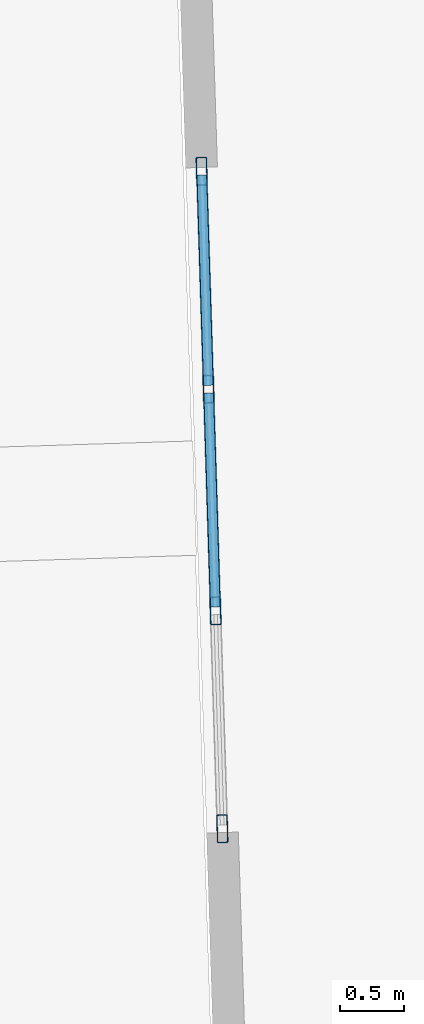
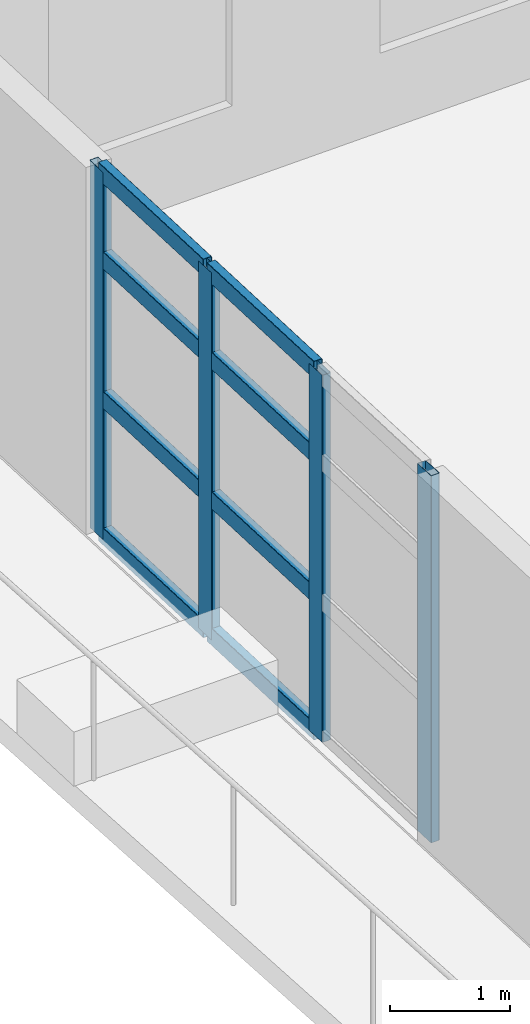
# One storey, part 4 of 18: 12 members, 1 element without a shape of its own.
"""IFC4 building model written with IfcOpenShell, lengths in metres."""

from ifc_helpers import new_model, si_unit, direction, frame, origin, origin_2d, place, context, subcontext, project, spatial, hollow_rectangle, extrude, material, layer, layer_set, material_profile, profile_set, type_object, element, aggregate, save


model = new_model("IFC4")

# Units and contexts
model_context = context("Model", 3, precision=1e-05, world=origin(), true_north=direction((0.0, 1.0)))
body_context = subcontext(model_context, "Body", "Model", "MODEL_VIEW")
ifc_project = project(units=[si_unit("LENGTHUNIT", "METRE"), si_unit("AREAUNIT", "SQUARE_METRE"), si_unit("VOLUMEUNIT", "CUBIC_METRE"), si_unit("PLANEANGLEUNIT", "RADIAN"), si_unit("MASSUNIT", "GRAM", prefix="KILO")], contexts=[model_context])

# Site, building, storey
site_placement = place(None, origin())
site = spatial("IfcSite", under=ifc_project, at=site_placement, CompositionType="ELEMENT")
building_placement = place(site_placement, origin())
building = spatial("IfcBuilding", under=site, at=building_placement, Name="Qingluan Cross Belvedere", CompositionType="ELEMENT")
storey_placement = place(building_placement, frame((0.0, 0.0, 299.39990234375)))
storey = spatial("IfcBuildingStorey", under=building, at=storey_placement, Name="L74", CompositionType="ELEMENT", Elevation=299.39990234375)

# Curtain wall, members
ifc_material_1 = material(Name="Thermally broken aluminium and Low-E glass", Category="aluminium")
ifc_layer = layer(ifc_material_1, 0.179931640625, Name="ObservationCW_DamperGallery")
ifc_layer_set = layer_set([ifc_layer], Name="Thermally broken aluminium and Low-E glass")
curtain_wall_type = type_object("IfcCurtainWallType", Name="ObservationCW_DamperGallery", PredefinedType="USERDEFINED", material=ifc_layer_set)
curtain_wall_placement = place(storey_placement, origin())
curtain_wall = element("IfcCurtainWall", 1, at=curtain_wall_placement, inside=storey, type_object=curtain_wall_type, Name="ObservationCW_DamperGallery run env:cw:L74:W", ObjectType="OBSERVATION GLAZING WALL", PredefinedType="USERDEFINED")
ifc_material_2 = material(Name="Aluminium alloy 6063-T6", Category="aluminium")
ifc_material_profile_1 = material_profile(ifc_material_2, hollow_rectangle(XDim=0.0849609375, YDim=0.219970703125, WallThickness=0.0048828125, InnerFilletRadius=0.0048828125, OuterFilletRadius=0.010009765625, at=origin_2d()), Name="CWM220x85x5")
ifc_profile_set_1 = profile_set([ifc_material_profile_1], Name="Aluminium alloy 6063-T6")
member_type_1 = type_object("IfcMemberType", Name="CWMullion_220", PredefinedType="MULLION", material=ifc_profile_set_1)
member_1_placement = place(storey_placement, frame((-25.648681640625, 1.783203125, 0.0), z_axis=(0.0, 0.0, 1.0), x_axis=(0.999506957349, 0.031398124312, 0.0)))
member_1 = element("IfcMember", 2, at=member_1_placement, type_object=member_type_1, Name="CW-C1 mullion 1", PredefinedType="MULLION", context=body_context, shape_type="SweptSolid", body=[
    extrude(hollow_rectangle(XDim=0.0849609375, YDim=0.219970703125, WallThickness=0.0048828125, InnerFilletRadius=0.0048828125, OuterFilletRadius=0.010009765625, at=origin_2d()), origin(), (0.0, 0.0, 1.0), 3.72998046875),
])
member_2_placement = place(storey_placement, frame((-25.5947265625, 0.06884765625, 0.0), z_axis=(0.0, 0.0, 1.0), x_axis=(0.999506957349, 0.031398124312, 0.0)))
member_2 = element("IfcMember", 3, at=member_2_placement, type_object=member_type_1, Name="CW-C1 mullion 2", PredefinedType="MULLION", context=body_context, shape_type="SweptSolid", body=[
    extrude(hollow_rectangle(XDim=0.0849609375, YDim=0.219970703125, WallThickness=0.0048828125, InnerFilletRadius=0.0048828125, OuterFilletRadius=0.010009765625, at=origin_2d()), origin(), (0.0, 0.0, 1.0), 3.72998046875),
])
member_3_placement = place(storey_placement, frame((-25.5400390625, -1.67578125, 0.0), z_axis=(0.0, 0.0, 1.0), x_axis=(0.999506957349, 0.031398124312, 0.0)))
member_3 = element("IfcMember", 4, at=member_3_placement, type_object=member_type_1, Name="CW-C1 mullion 3", PredefinedType="MULLION", context=body_context, shape_type="SweptSolid", body=[
    extrude(hollow_rectangle(XDim=0.0849609375, YDim=0.219970703125, WallThickness=0.0048828125, InnerFilletRadius=0.0048828125, OuterFilletRadius=0.010009765625, at=origin_2d()), origin(), (0.0, 0.0, 1.0), 3.72998046875),
])
member_4_placement = place(storey_placement, frame((-25.486083984375, -3.39013671875, 0.0), z_axis=(0.0, 0.0, 1.0), x_axis=(0.999506957349, 0.031398124312, 0.0)))
member_4 = element("IfcMember", 5, at=member_4_placement, type_object=member_type_1, Name="CW-C1 mullion 4", PredefinedType="MULLION", context=body_context, shape_type="SweptSolid", body=[
    extrude(hollow_rectangle(XDim=0.0849609375, YDim=0.219970703125, WallThickness=0.0048828125, InnerFilletRadius=0.0048828125, OuterFilletRadius=0.010009765625, at=origin_2d()), origin(), (0.0, 0.0, 1.0), 3.72998046875),
])
ifc_material_3 = material(Name="Aluminium alloy 6063-T6", Category="aluminium")
ifc_material_profile_2 = material_profile(ifc_material_3, hollow_rectangle(XDim=0.0849609375, YDim=0.179931640625, WallThickness=0.00390625, InnerFilletRadius=0.00390625, OuterFilletRadius=0.008056640625, at=origin_2d()), Name="CWT180x85x4")
ifc_profile_set_2 = profile_set([ifc_material_profile_2], Name="Aluminium alloy 6063-T6")
member_type_2 = type_object("IfcMemberType", Name="CWTransom_180", PredefinedType="USERDEFINED", material=ifc_profile_set_2)
member_5_placement = place(storey_placement, frame((-25.647705078125, 1.753173828125, 0.030029296875), z_axis=(0.031414323963, -0.999506448328, 0.0), x_axis=(0.999506448328, 0.031414323963, 0.0)))
member_5 = element("IfcMember", 6, at=member_5_placement, type_object=member_type_2, Name="CW-C1 transom 1.1", ObjectType="TRANSOM", PredefinedType="USERDEFINED", context=body_context, shape_type="SweptSolid", body=[
    extrude(hollow_rectangle(XDim=0.0849609375, YDim=0.179931640625, WallThickness=0.00390625, InnerFilletRadius=0.00390625, OuterFilletRadius=0.008056640625, at=origin_2d()), origin(), (0.0, 0.0, 1.0), 1.6552734375),
])
member_6_placement = place(storey_placement, frame((-25.647705078125, 1.753173828125, 1.4169921875), z_axis=(0.031414323963, -0.999506448328, 0.0), x_axis=(0.999506448328, 0.031414323963, 0.0)))
member_6 = element("IfcMember", 7, at=member_6_placement, type_object=member_type_2, Name="CW-C1 transom 1.2", ObjectType="TRANSOM", PredefinedType="USERDEFINED", context=body_context, shape_type="SweptSolid", body=[
    extrude(hollow_rectangle(XDim=0.0849609375, YDim=0.179931640625, WallThickness=0.00390625, InnerFilletRadius=0.00390625, OuterFilletRadius=0.008056640625, at=origin_2d()), origin(), (0.0, 0.0, 1.0), 1.6552734375),
])
member_7_placement = place(storey_placement, frame((-25.647705078125, 1.753173828125, 2.835205078125), z_axis=(0.031414323963, -0.999506448328, 0.0), x_axis=(0.999506448328, 0.031414323963, 0.0)))
member_7 = element("IfcMember", 8, at=member_7_placement, type_object=member_type_2, Name="CW-C1 transom 1.3", ObjectType="TRANSOM", PredefinedType="USERDEFINED", context=body_context, shape_type="SweptSolid", body=[
    extrude(hollow_rectangle(XDim=0.0849609375, YDim=0.179931640625, WallThickness=0.00390625, InnerFilletRadius=0.00390625, OuterFilletRadius=0.008056640625, at=origin_2d()), origin(), (0.0, 0.0, 1.0), 1.6552734375),
])
member_8_placement = place(storey_placement, frame((-25.647705078125, 1.753173828125, 3.7001953125), z_axis=(0.031414323963, -0.999506448328, 0.0), x_axis=(0.999506448328, 0.031414323963, 0.0)))
member_8 = element("IfcMember", 9, at=member_8_placement, type_object=member_type_2, Name="CW-C1 transom 1.4", ObjectType="TRANSOM", PredefinedType="USERDEFINED", context=body_context, shape_type="SweptSolid", body=[
    extrude(hollow_rectangle(XDim=0.0849609375, YDim=0.179931640625, WallThickness=0.00390625, InnerFilletRadius=0.00390625, OuterFilletRadius=0.008056640625, at=origin_2d()), origin(), (0.0, 0.0, 1.0), 1.6552734375),
])
member_9_placement = place(storey_placement, frame((-25.59375, 0.038818359375, 0.030029296875), z_axis=(0.031289020552, -0.999510378732, 0.0), x_axis=(0.999510378732, 0.031289020552, 0.0)))
member_9 = element("IfcMember", 10, at=member_9_placement, type_object=member_type_2, Name="CW-C1 transom 2.1", ObjectType="TRANSOM", PredefinedType="USERDEFINED", context=body_context, shape_type="SweptSolid", body=[
    extrude(hollow_rectangle(XDim=0.0849609375, YDim=0.179931640625, WallThickness=0.00390625, InnerFilletRadius=0.00390625, OuterFilletRadius=0.008056640625, at=origin_2d()), origin(), (0.0, 0.0, 1.0), 1.685302734375),
])
member_10_placement = place(storey_placement, frame((-25.59375, 0.038818359375, 1.4169921875), z_axis=(0.031289020552, -0.999510378732, 0.0), x_axis=(0.999510378732, 0.031289020552, 0.0)))
member_10 = element("IfcMember", 11, at=member_10_placement, type_object=member_type_2, Name="CW-C1 transom 2.2", ObjectType="TRANSOM", PredefinedType="USERDEFINED", context=body_context, shape_type="SweptSolid", body=[
    extrude(hollow_rectangle(XDim=0.0849609375, YDim=0.179931640625, WallThickness=0.00390625, InnerFilletRadius=0.00390625, OuterFilletRadius=0.008056640625, at=origin_2d()), origin(), (0.0, 0.0, 1.0), 1.685302734375),
])
member_11_placement = place(storey_placement, frame((-25.59375, 0.038818359375, 2.835205078125), z_axis=(0.031289020552, -0.999510378732, 0.0), x_axis=(0.999510378732, 0.031289020552, 0.0)))
member_11 = element("IfcMember", 12, at=member_11_placement, type_object=member_type_2, Name="CW-C1 transom 2.3", ObjectType="TRANSOM", PredefinedType="USERDEFINED", context=body_context, shape_type="SweptSolid", body=[
    extrude(hollow_rectangle(XDim=0.0849609375, YDim=0.179931640625, WallThickness=0.00390625, InnerFilletRadius=0.00390625, OuterFilletRadius=0.008056640625, at=origin_2d()), origin(), (0.0, 0.0, 1.0), 1.685302734375),
])
member_12_placement = place(storey_placement, frame((-25.59375, 0.038818359375, 3.7001953125), z_axis=(0.031289020552, -0.999510378732, 0.0), x_axis=(0.999510378732, 0.031289020552, 0.0)))
member_12 = element("IfcMember", 13, at=member_12_placement, type_object=member_type_2, Name="CW-C1 transom 2.4", ObjectType="TRANSOM", PredefinedType="USERDEFINED", context=body_context, shape_type="SweptSolid", body=[
    extrude(hollow_rectangle(XDim=0.0849609375, YDim=0.179931640625, WallThickness=0.00390625, InnerFilletRadius=0.00390625, OuterFilletRadius=0.008056640625, at=origin_2d()), origin(), (0.0, 0.0, 1.0), 1.685302734375),
])
aggregate(curtain_wall, [member_1, member_2, member_3, member_4, member_5, member_6, member_7, member_8, member_9, member_10, member_11, member_12])

save(model, "model.ifc")
